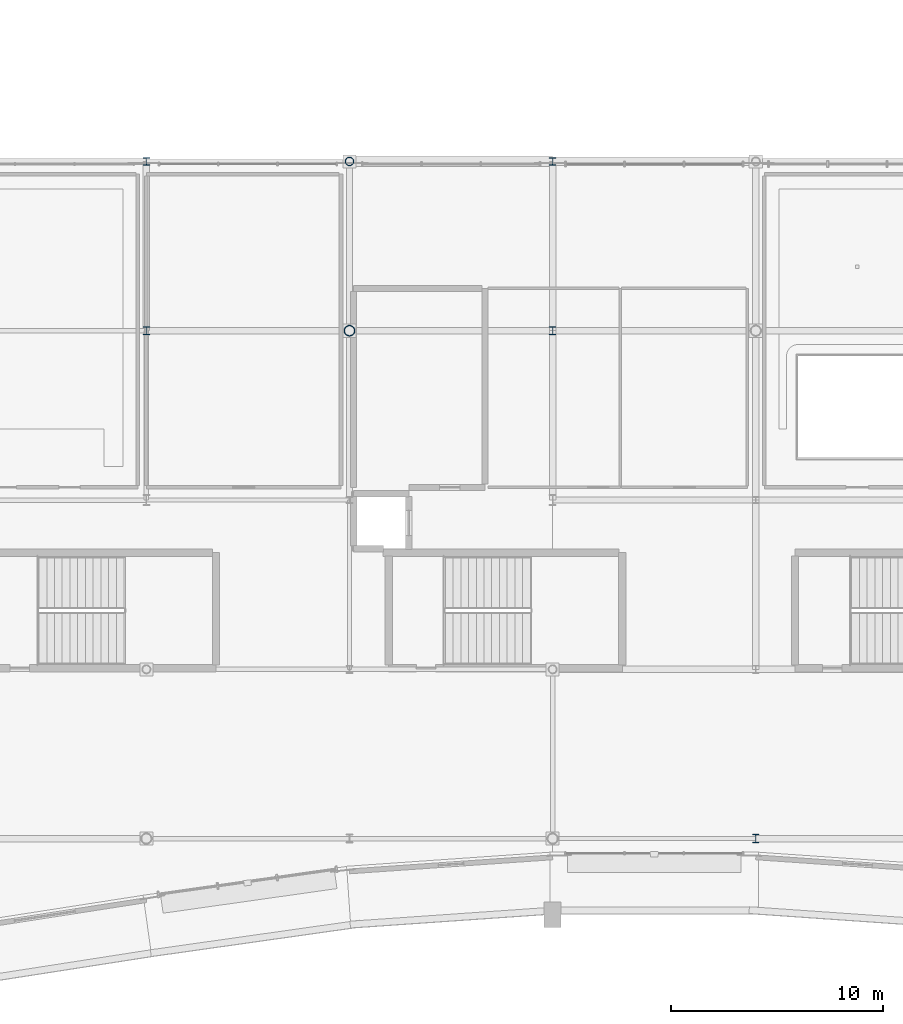
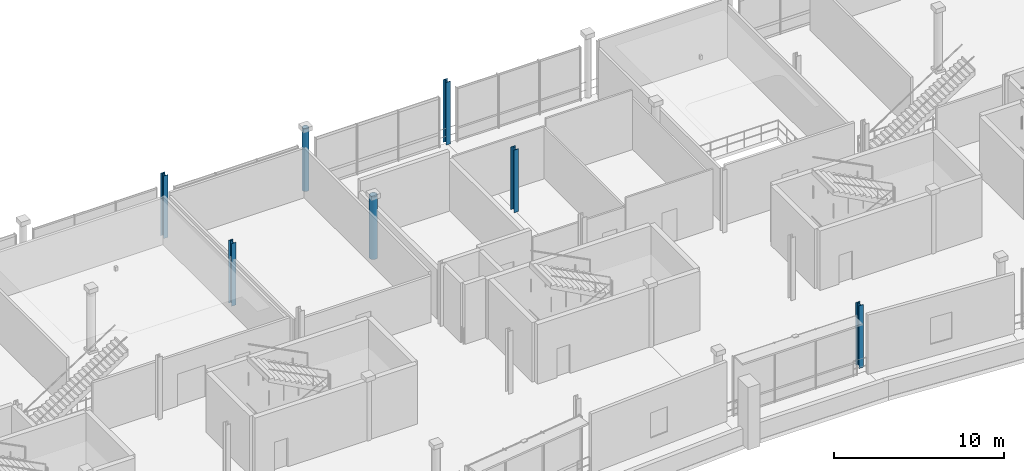
# One storey, part 4 of 59: 7 columns.
"""IFC4 building model written with IfcOpenShell, lengths in metres."""

from ifc_helpers import new_model, si_unit, direction, frame, origin, origin_2d, place, context, subcontext, project, spatial, hollow_circle, i_section, extrude, material, material_profile, profile_set, type_object, element, save


model = new_model("IFC4")

# Units and contexts
model_context = context("Model", 3, precision=1e-05, world=origin(), true_north=direction((0.0, 1.0)))
body_context = subcontext(model_context, "Body", "Model", "MODEL_VIEW")
ifc_project = project(units=[si_unit("LENGTHUNIT", "METRE"), si_unit("AREAUNIT", "SQUARE_METRE"), si_unit("VOLUMEUNIT", "CUBIC_METRE"), si_unit("PLANEANGLEUNIT", "RADIAN"), si_unit("MASSUNIT", "GRAM", prefix="KILO")], contexts=[model_context])

# Site, building, storey
site_placement = place(None, origin())
site = spatial("IfcSite", under=ifc_project, at=site_placement, CompositionType="ELEMENT")
building_placement = place(site_placement, origin())
building = spatial("IfcBuilding", under=site, at=building_placement, Name="Danafjord Basin Convention Centre", CompositionType="ELEMENT")
storey_placement = place(building_placement, frame((0.0, 0.0, 15.89990234375)))
storey = spatial("IfcBuildingStorey", under=building, at=storey_placement, Name="L03", CompositionType="ELEMENT", Elevation=15.89990234375)

# Columns
ifc_material = material(Name="Steel S355", Category="steel")
ifc_material_profile_1 = material_profile(ifc_material, hollow_circle(Radius=0.203125, WallThickness=0.02001953125, at=origin_2d()), Name="CHS 406.4x20.0")
ifc_profile_set_1 = profile_set([ifc_material_profile_1], Name="Steel S355")
column_type_1 = type_object("IfcColumnType", Name="COL-C-CHS406", PredefinedType="COLUMN", material=ifc_profile_set_1)
column_1_placement = place(storey_placement, frame((48.0, 40.0, 0.0), z_axis=(0.0, 0.0, 1.0), x_axis=(1.0, 0.0, 0.0)))
element("IfcColumn", 1, at=column_1_placement, inside=storey, type_object=column_type_1, Name="L03 column C-CHS406 at (48.0, 40.0)", PredefinedType="COLUMN", context=body_context, shape_type="SweptSolid", body=[
    extrude(hollow_circle(Radius=0.203125, WallThickness=0.02001953125, at=origin_2d()), origin(), (0.0, 0.0, 1.0), 4.5),
])
ifc_material_profile_2 = material_profile(ifc_material, hollow_circle(Radius=0.25390625, WallThickness=0.02490234375, at=origin_2d()), Name="CHS 508.0x25.0")
ifc_profile_set_2 = profile_set([ifc_material_profile_2], Name="Steel S355")
column_type_2 = type_object("IfcColumnType", Name="COL-C-CHS508", PredefinedType="COLUMN", material=ifc_profile_set_2)
column_2_placement = place(storey_placement, frame((48.0, 32.0, 0.0), z_axis=(0.0, 0.0, 1.0), x_axis=(1.0, 0.0, 0.0)))
element("IfcColumn", 2, at=column_2_placement, inside=storey, type_object=column_type_2, Name="L03 column C-CHS508 at (48.0, 32.0)", PredefinedType="COLUMN", context=body_context, shape_type="SweptSolid", body=[
    extrude(hollow_circle(Radius=0.25390625, WallThickness=0.02490234375, at=origin_2d()), origin(), (0.0, 0.0, 1.0), 4.5),
])
ifc_material_profile_3 = material_profile(ifc_material, i_section(OverallWidth=0.300048828125, OverallDepth=0.360107421875, WebThickness=0.012451171875, FlangeThickness=0.0224609375, FilletRadius=0.027099609375, at=origin_2d()), Name="HEB 360")
ifc_profile_set_3 = profile_set([ifc_material_profile_3], Name="Steel S355")
column_type_3 = type_object("IfcColumnType", Name="COL-C-HEB360", PredefinedType="COLUMN", material=ifc_profile_set_3)
for number, where, z_axis, x_axis, name in (
    (3, (38.39990234375, 40.0, 0.0), (0.0, 0.0, 1.0), (1.0, 0.0, 0.0), "L03 column C-HEB360 at (38.4, 40.0)"),
    (4, (57.60009765625, 40.0, 0.0), (0.0, 0.0, 1.0), (1.0, 0.0, 0.0), "L03 column C-HEB360 at (57.6, 40.0)"),
):
    element("IfcColumn", number, at=place(storey_placement, frame(where, z_axis=z_axis, x_axis=x_axis)), inside=storey, type_object=column_type_3, Name=name, PredefinedType="COLUMN", context=body_context, shape_type="SweptSolid", body=[
        extrude(i_section(OverallWidth=0.300048828125, OverallDepth=0.360107421875, WebThickness=0.012451171875, FlangeThickness=0.0224609375, FilletRadius=0.027099609375, at=origin_2d()), origin(), (0.0, 0.0, 1.0), 4.5),
    ])
ifc_material_profile_4 = material_profile(ifc_material, i_section(OverallWidth=0.300048828125, OverallDepth=0.39990234375, WebThickness=0.013427734375, FlangeThickness=0.02392578125, FilletRadius=0.027099609375, at=origin_2d()), Name="HEB 400")
ifc_profile_set_4 = profile_set([ifc_material_profile_4], Name="Steel S355")
column_type_4 = type_object("IfcColumnType", Name="COL-C-HEB400", PredefinedType="COLUMN", material=ifc_profile_set_4)
for number, where, z_axis, x_axis, name in (
    (5, (38.39990234375, 32.0, 0.0), (0.0, 0.0, 1.0), (1.0, 0.0, 0.0), "L03 column C-HEB400 at (38.4, 32.0)"),
    (6, (57.60009765625, 32.0, 0.0), (0.0, 0.0, 1.0), (1.0, 0.0, 0.0), "L03 column C-HEB400 at (57.6, 32.0)"),
    (7, (67.199951171875, 8.0, 0.0), (0.0, 0.0, 1.0), (1.0, 0.0, 0.0), "L03 column C-HEB400 at (67.2, 8.0)"),
):
    element("IfcColumn", number, at=place(storey_placement, frame(where, z_axis=z_axis, x_axis=x_axis)), inside=storey, type_object=column_type_4, Name=name, PredefinedType="COLUMN", context=body_context, shape_type="SweptSolid", body=[
        extrude(i_section(OverallWidth=0.300048828125, OverallDepth=0.39990234375, WebThickness=0.013427734375, FlangeThickness=0.02392578125, FilletRadius=0.027099609375, at=origin_2d()), origin(), (0.0, 0.0, 1.0), 4.5),
    ])

save(model, "model.ifc")
